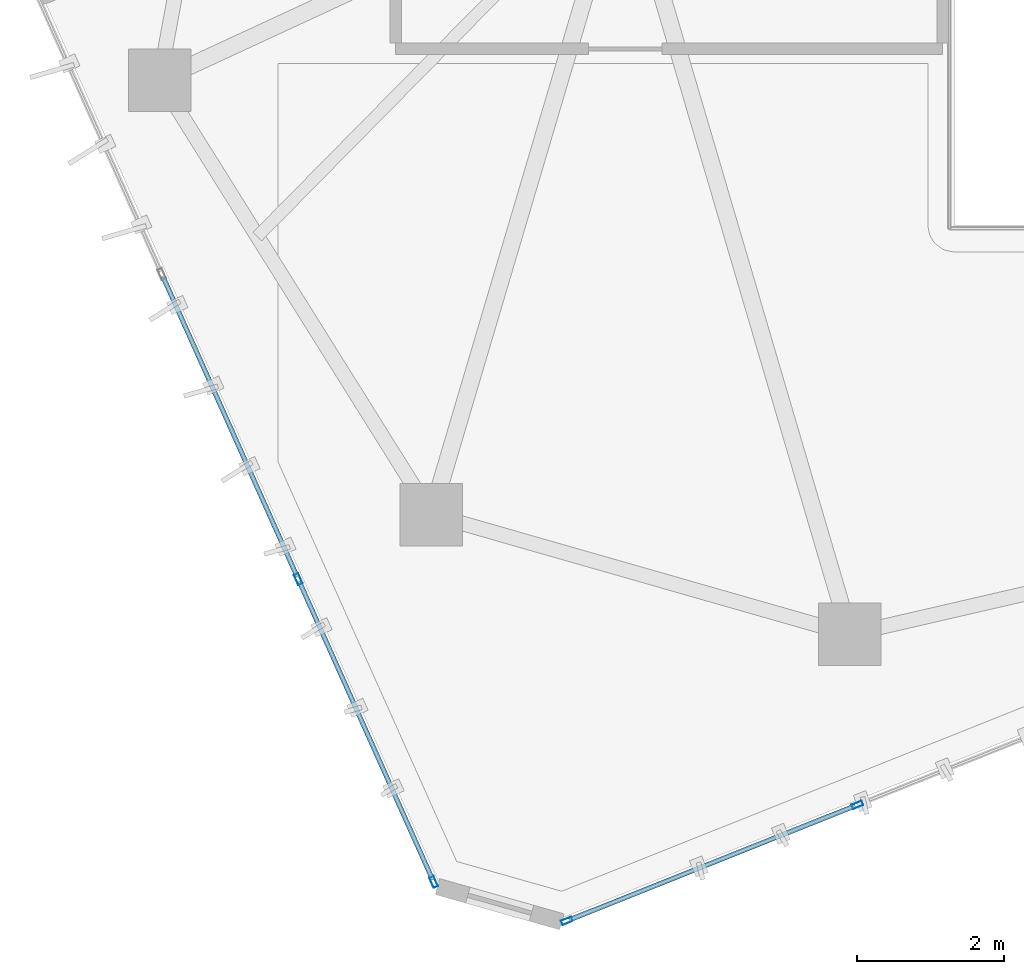
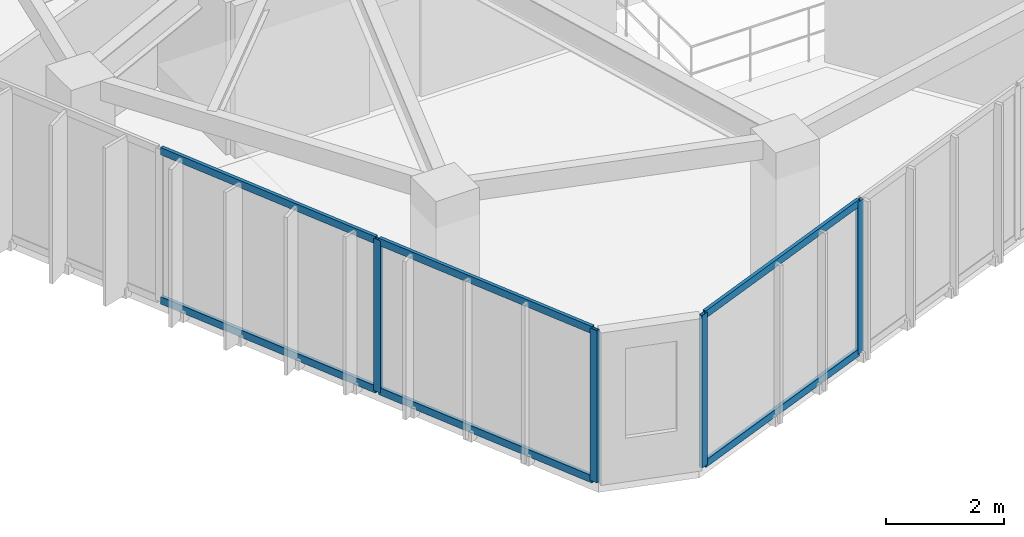
# One storey, part 2 of 20: 10 members, 2 elements without a shape of their own.
"""IFC4 building model written with IfcOpenShell, lengths in metres."""

import ifcopenshell
import ifcopenshell.guid

model = None  # the IFC model being written
_history = None  # IfcOwnerHistory: only IFC2X3 demands one
_inside = {}  # id of a spatial element -> (the spatial element, [elements in it])
_under = {}  # id of a project, library or spatial element -> (it, [spatial elements below it])
_declared = {}  # id of a project -> (the project, [libraries it declares])
_typed = {}  # id of a type object -> (the type object, [elements of that type])
_made_of = {}  # id of a material, layer set ... -> (it, [elements and type objects made of it])


def new_model(schema):
    """Start an empty IFC model of exactly this schema.

    Asked for "IFC4X3", IfcOpenShell would pick the latest addendum, in which some entities
    have other attributes; the version numbers below select the first issue.
    IFC2X3 requires an IfcOwnerHistory on every rooted entity: one is made here for all.
    """
    global model, _history
    if schema == "IFC4X3":
        model = ifcopenshell.file(schema_version=(4, 3, 0, 0))
    else:
        model = ifcopenshell.file(schema=schema)
    _inside.clear()
    _under.clear()
    _declared.clear()
    _typed.clear()
    _made_of.clear()
    _history = None
    if model.schema == "IFC2X3":
        org = make("IfcOrganization", Name="unknown")
        user = make(
            "IfcPersonAndOrganization",
            ThePerson=make("IfcPerson", FamilyName="unknown"),
            TheOrganization=org,
        )
        app = make(
            "IfcApplication",
            ApplicationDeveloper=org,
            Version="unknown",
            ApplicationFullName="unknown",
            ApplicationIdentifier="unknown",
        )
        _history = make(
            "IfcOwnerHistory",
            OwningUser=user,
            OwningApplication=app,
            ChangeAction="ADDED",
            CreationDate=0,
        )
    return model


def make(cls, **values):
    """One entity of the class cls with the attributes given. An attribute that is None is left unset."""
    return model.create_entity(
        cls, **{name: value for name, value in values.items() if value is not None}
    )


def rooted(cls, **values):
    """An entity with a GlobalId (a new one), such as an element, a storey or a relation."""
    return make(cls, GlobalId=ifcopenshell.guid.new(), OwnerHistory=_history, **values)


def si_unit(unit_type, name, prefix=None):
    """IfcSIUnit, for example si_unit("LENGTHUNIT", "METRE", prefix="MILLI")."""
    return make("IfcSIUnit", UnitType=unit_type, Prefix=prefix, Name=name)


def assignment(units):
    """IfcUnitAssignment: the units of a project."""
    return None if units is None else make("IfcUnitAssignment", Units=units)


def point(xyz):
    """IfcCartesianPoint."""
    return None if xyz is None else make("IfcCartesianPoint", Coordinates=xyz)


def direction(xyz):
    """IfcDirection."""
    return None if xyz is None else make("IfcDirection", DirectionRatios=xyz)


def frame(location, z_axis=None, x_axis=None):
    """IfcAxis2Placement3D, a coordinate frame: its origin and axes. An axis left out is left unset."""
    return make(
        "IfcAxis2Placement3D",
        Location=point(location),
        Axis=direction(z_axis),
        RefDirection=direction(x_axis),
    )


def frame_2d(location, x_axis=None):
    """IfcAxis2Placement2D, a coordinate frame in the plane: its origin and x axis."""
    return make(
        "IfcAxis2Placement2D", Location=point(location), RefDirection=direction(x_axis)
    )


def origin():
    """The frame at (0, 0, 0) with its axes left unset."""
    return frame((0.0, 0.0, 0.0))


def origin_2d():
    """The frame at (0, 0) in the plane with its x axis left unset."""
    return frame_2d((0.0, 0.0))


def place(relative_to, where):
    """IfcLocalPlacement: puts the frame where relative to a parent placement (None: the world)."""
    return make(
        "IfcLocalPlacement", PlacementRelTo=relative_to, RelativePlacement=where
    )


def context(
    kind, dimensions, precision=None, world=None, true_north=None, identifier=None
):
    """IfcGeometricRepresentationContext, for example the 3D "Model" context."""
    return make(
        "IfcGeometricRepresentationContext",
        ContextIdentifier=identifier,
        ContextType=kind,
        CoordinateSpaceDimension=dimensions,
        Precision=precision,
        WorldCoordinateSystem=world,
        TrueNorth=true_north,
    )


def subcontext(parent, identifier, kind, view, scale=None):
    """IfcGeometricRepresentationSubContext, for example "Body" below "Model"."""
    return make(
        "IfcGeometricRepresentationSubContext",
        ContextIdentifier=identifier,
        ContextType=kind,
        ParentContext=parent,
        TargetScale=scale,
        TargetView=view,
    )


def project(units=None, contexts=None):
    """IfcProject with its units and contexts."""
    return rooted(
        "IfcProject",
        Name="project",
        RepresentationContexts=contexts,
        UnitsInContext=assignment(units),
    )


def spatial(cls, under=None, at=None, **own):
    """A site, building, storey or space (cls), placed at a placement, below another one or the project."""
    s = rooted(cls, ObjectPlacement=at, **own)
    if under is not None:
        _under.setdefault(under.id(), (under, []))[1].append(s)
    return s


def profile(cls, at=None, kind="AREA", **sizes):
    """A parametric profile (cls). Its sizes go by their IFC names, for example OverallWidth=200.0."""
    return make(cls, ProfileType=kind, Position=at, **sizes)


def hollow_rectangle(**sizes):
    """IfcRectangleHollowProfileDef."""
    return profile("IfcRectangleHollowProfileDef", **sizes)


def extrude(swept, where, along, depth):
    """IfcExtrudedAreaSolid: the profile swept, set in the frame where, extruded along a direction by depth."""
    return make(
        "IfcExtrudedAreaSolid",
        SweptArea=swept,
        Position=where,
        ExtrudedDirection=direction(along),
        Depth=depth,
    )


def shape(context_of_items, identifier, shape_type, items):
    """IfcShapeRepresentation: the items that make up one representation, for example the "Body"."""
    return make(
        "IfcShapeRepresentation",
        ContextOfItems=context_of_items,
        RepresentationIdentifier=identifier,
        RepresentationType=shape_type,
        Items=items,
    )


def source(mapping_origin, context_of_items, identifier, shape_type, items):
    """IfcRepresentationMap: a shape defined once, which mapped items show again and again."""
    return make(
        "IfcRepresentationMap",
        MappingOrigin=mapping_origin,
        MappedRepresentation=shape(context_of_items, identifier, shape_type, items),
    )


def transform(
    local_origin,
    x_axis=None,
    y_axis=None,
    z_axis=None,
    scale=None,
    scale2=None,
    scale3=None,
    uniform=True,
):
    """IfcCartesianTransformationOperator3D, or its non-uniform kind. x_axis, y_axis, z_axis: its Axis1, 2, 3."""
    if uniform:
        return make(
            "IfcCartesianTransformationOperator3D",
            Axis1=direction(x_axis),
            Axis2=direction(y_axis),
            LocalOrigin=point(local_origin),
            Scale=scale,
            Axis3=direction(z_axis),
        )
    return make(
        "IfcCartesianTransformationOperator3DnonUniform",
        Axis1=direction(x_axis),
        Axis2=direction(y_axis),
        LocalOrigin=point(local_origin),
        Scale=scale,
        Axis3=direction(z_axis),
        Scale2=scale2,
        Scale3=scale3,
    )


def mapped(mapping_source, mapping_target):
    """IfcMappedItem: shows the shape of a source again, moved by a transform."""
    return make(
        "IfcMappedItem", MappingSource=mapping_source, MappingTarget=mapping_target
    )


def material(Name=None, Category=None):
    """IfcMaterial."""
    return make("IfcMaterial", Name=Name, Category=Category)


def layer(
    of_material, thickness, ventilated=None, Name=None, Category=None, Priority=None
):
    """IfcMaterialLayer: one layer of a wall or slab, of a material (None: an air gap)."""
    return make(
        "IfcMaterialLayer",
        Material=of_material,
        LayerThickness=thickness,
        IsVentilated=ventilated,
        Name=Name,
        Category=Category,
        Priority=Priority,
    )


def layer_set(layers, Name=None):
    """IfcMaterialLayerSet."""
    return make("IfcMaterialLayerSet", MaterialLayers=layers, LayerSetName=Name)


def material_profile(
    of_material, cross_section, Name=None, Category=None, Priority=None
):
    """IfcMaterialProfile: a cross section and its material."""
    return make(
        "IfcMaterialProfile",
        Name=Name,
        Material=of_material,
        Profile=cross_section,
        Priority=Priority,
        Category=Category,
    )


def profile_set(profiles, Name=None, composite=None):
    """IfcMaterialProfileSet."""
    return make(
        "IfcMaterialProfileSet",
        Name=Name,
        MaterialProfiles=profiles,
        CompositeProfile=composite,
    )


def made_of(thing, what):
    """Note that an element or type object is made of a material, layer set ...; save() writes the relation."""
    if what is not None:
        _made_of.setdefault(what.id(), (what, []))[1].append(thing)
    return thing


def type_object(cls, material=None, **own):
    """A type object (cls), such as IfcWallType, which elements share."""
    return made_of(rooted(cls, **own), material)


def type_shapes(of_type, sources):
    """Give a type object the sources (RepresentationMaps) that its elements show as mapped items."""
    of_type.RepresentationMaps = sources


def element(
    cls,
    number,
    at=None,
    inside=None,
    cuts=None,
    type_object=None,
    material=None,
    context=None,
    identifier="Body",
    shape_type=None,
    held_by="IfcProductDefinitionShape",
    body=None,
    shapes=None,
    **own,
):
    """One element of the class cls, such as IfcWall. Its Tag is "e" and its number.

    at: its placement. inside: the storey or other place that contains it. cuts: it is an
    opening in that element (IfcRelVoidsElement). A single representation is given by context,
    identifier, shape_type and body (its items); several are given by shapes. held_by: the class
    of the entity that holds the representations. save() writes the other relations.
    """
    e = rooted(cls, Tag="e%d" % number, ObjectPlacement=at, **own)
    if body is not None:
        shapes = [shape(context, identifier, shape_type, body)]
    if shapes is not None:
        e.Representation = make(held_by, Representations=shapes)
    if inside is not None:
        _inside.setdefault(inside.id(), (inside, []))[1].append(e)
    if cuts is not None:
        rooted(
            "IfcRelVoidsElement", RelatingBuildingElement=cuts, RelatedOpeningElement=e
        )
    if type_object is not None:
        _typed.setdefault(type_object.id(), (type_object, []))[1].append(e)
    return made_of(e, material)


def aggregate(whole, parts):
    """IfcRelAggregates: a whole, such as a stair, and the parts it consists of."""
    return rooted("IfcRelAggregates", RelatingObject=whole, RelatedObjects=parts)


def save(model, path):
    """Write the relations noted so far, then the file.

    IfcRelAggregates (storeys below a building ...), IfcRelContainedInSpatialStructure (elements
    in a storey), IfcRelDefinesByType, IfcRelAssociatesMaterial and IfcRelDeclares: one each for
    every whole, place, type object, material and project.
    """
    for whole, parts in _under.values():
        aggregate(whole, parts)
    for where, things in _inside.values():
        rooted(
            "IfcRelContainedInSpatialStructure",
            RelatedElements=things,
            RelatingStructure=where,
        )
    for kind, things in _typed.values():
        rooted("IfcRelDefinesByType", RelatedObjects=things, RelatingType=kind)
    for what, things in _made_of.values():
        rooted("IfcRelAssociatesMaterial", RelatedObjects=things, RelatingMaterial=what)
    for by, libraries in _declared.values():
        rooted("IfcRelDeclares", RelatingContext=by, RelatedDefinitions=libraries)
    model.write(path)


model = new_model("IFC4")

# Units and contexts
model_context = context("Model", 3, precision=1e-05, world=origin(), true_north=direction((0.0, 1.0)))
body_context = subcontext(model_context, "Body", "Model", "MODEL_VIEW")
ifc_project = project(units=[si_unit("LENGTHUNIT", "METRE"), si_unit("AREAUNIT", "SQUARE_METRE"), si_unit("VOLUMEUNIT", "CUBIC_METRE"), si_unit("PLANEANGLEUNIT", "RADIAN"), si_unit("MASSUNIT", "GRAM", prefix="KILO")], contexts=[model_context])

# Site, building, storey
site_placement = place(None, origin())
site = spatial("IfcSite", under=ifc_project, at=site_placement, CompositionType="ELEMENT")
building_placement = place(site_placement, origin())
building = spatial("IfcBuilding", under=site, at=building_placement, Name="Talar Marvaseh", CompositionType="ELEMENT")
storey_placement = place(building_placement, frame((0.0, 0.0, 278.199951171875)))
storey = spatial("IfcBuildingStorey", under=building, at=storey_placement, Name="L74", CompositionType="ELEMENT", Elevation=278.199951171875)

# Curtain wall, members
ifc_material = material(Name="Architectural Aluminium", Category="aluminium")
ifc_layer = layer(ifc_material, 0.179931640625)
ifc_layer_set = layer_set([ifc_layer], Name="Architectural Aluminium")
curtain_wall_type = type_object("IfcCurtainWallType", Name="Unitised High-Wind Sky Curtain Wall Z4", PredefinedType="NOTDEFINED", material=ifc_layer_set)
curtain_wall_1_placement = place(storey_placement, origin())
curtain_wall_1 = element("IfcCurtainWall", 1, at=curtain_wall_1_placement, inside=storey, type_object=curtain_wall_type, Name="L74 Unitised High-Wind Sky Curtain Wall Z4", PredefinedType="NOTDEFINED")
ifc_material_profile_1 = material_profile(ifc_material, hollow_rectangle(XDim=0.06494140625, YDim=0.14990234375, WallThickness=0.00390625, at=origin_2d()), Name="RHS150x65x4")
ifc_profile_set_1 = profile_set([ifc_material_profile_1], Name="Architectural Aluminium")
member_type_1 = type_object("IfcMemberType", Name="Unitised Curtain Wall Slim Transom RHS150x65x4", PredefinedType="USERDEFINED", material=ifc_profile_set_1)
shared_shape_1 = source(origin(), body_context, "Body", "SweptSolid", [
    extrude(hollow_rectangle(XDim=0.06494140625, YDim=0.14990234375, WallThickness=0.00390625, at=origin_2d()), origin(), (0.0, 0.0, 1.0), 4.447265625),
])
member_1_placement = place(storey_placement, frame((16.10400390625, 11.700927734375, 0.032470703125), z_axis=(-0.408261333725, 0.91286509594, 0.0), x_axis=(-0.91286509594, -0.408261333725, 0.0)))
member_1 = element("IfcMember", 2, at=member_1_placement, type_object=member_type_1, Name="CW-Z4 transom 1.1", ObjectType="TRANSOM", PredefinedType="USERDEFINED", context=body_context, shape_type="MappedRepresentation", body=[
    mapped(shared_shape_1, transform((0.0, 0.0, 0.0), x_axis=(1.0, 0.0, 0.0), y_axis=(0.0, 1.0, 0.0), z_axis=(0.0, 0.0, 1.0), scale=1.0)),
])
member_2_placement = place(storey_placement, frame((16.10400390625, 11.700927734375, 3.107666015625), z_axis=(-0.408261333725, 0.91286509594, 0.0), x_axis=(-0.91286509594, -0.408261333725, 0.0)))
member_2 = element("IfcMember", 3, at=member_2_placement, type_object=member_type_1, Name="CW-Z4 transom 1.2", ObjectType="TRANSOM", PredefinedType="USERDEFINED", context=body_context, shape_type="MappedRepresentation", body=[
    mapped(shared_shape_1, transform((0.0, 0.0, 0.0), x_axis=(1.0, 0.0, 0.0), y_axis=(0.0, 1.0, 0.0), z_axis=(0.0, 0.0, 1.0), scale=1.0)),
])
shared_shape_2 = source(origin(), body_context, "Body", "SweptSolid", [
    extrude(hollow_rectangle(XDim=0.06494140625, YDim=0.14990234375, WallThickness=0.00390625, at=origin_2d()), origin(), (0.0, 0.0, 1.0), 4.47998046875),
])
member_3_placement = place(storey_placement, frame((14.26171875, 15.820068359375, 0.032470703125), z_axis=(-0.408235804373, 0.912876513022, 0.0), x_axis=(-0.912876513022, -0.408235804373, 0.0)))
member_3 = element("IfcMember", 4, at=member_3_placement, type_object=member_type_1, Name="CW-Z4 transom 2.1", ObjectType="TRANSOM", PredefinedType="USERDEFINED", context=body_context, shape_type="MappedRepresentation", body=[
    mapped(shared_shape_2, transform((0.0, 0.0, 0.0), x_axis=(1.0, 0.0, 0.0), y_axis=(0.0, 1.0, 0.0), z_axis=(0.0, 0.0, 1.0), scale=1.0)),
])
member_4_placement = place(storey_placement, frame((14.26171875, 15.820068359375, 3.107666015625), z_axis=(-0.408235804373, 0.912876513022, 0.0), x_axis=(-0.912876513022, -0.408235804373, 0.0)))
member_4 = element("IfcMember", 5, at=member_4_placement, type_object=member_type_1, Name="CW-Z4 transom 2.2", ObjectType="TRANSOM", PredefinedType="USERDEFINED", context=body_context, shape_type="MappedRepresentation", body=[
    mapped(shared_shape_2, transform((0.0, 0.0, 0.0), x_axis=(1.0, 0.0, 0.0), y_axis=(0.0, 1.0, 0.0), z_axis=(0.0, 0.0, 1.0), scale=1.0)),
])
ifc_material_profile_2 = material_profile(ifc_material, hollow_rectangle(XDim=0.06494140625, YDim=0.14990234375, WallThickness=0.00390625, at=origin_2d()), Name="RHS150x65x4")
ifc_profile_set_2 = profile_set([ifc_material_profile_2], Name="Architectural Aluminium")
member_type_2 = type_object("IfcMemberType", Name="Unitised Curtain Wall Slim Mullion RHS150x65x4", PredefinedType="MULLION", material=ifc_profile_set_2)
shared_shape_3 = source(origin(), body_context, "Body", "SweptSolid", [
    extrude(hollow_rectangle(XDim=0.06494140625, YDim=0.14990234375, WallThickness=0.00390625, at=origin_2d()), origin(), (0.0, 0.0, 1.0), 3.14013671875),
])
type_shapes(member_type_2, [shared_shape_3])
member_5_placement = place(storey_placement, frame((16.117431640625, 11.67138671875, 0.0), z_axis=(0.0, 0.0, 1.0), x_axis=(-0.912862421226, -0.408267314284, 0.0)))
member_5 = element("IfcMember", 6, at=member_5_placement, type_object=member_type_2, Name="CW-Z4 mullion 1", PredefinedType="MULLION", context=body_context, shape_type="MappedRepresentation", body=[
    mapped(shared_shape_3, transform((0.0, 0.0, 0.0), x_axis=(1.0, 0.0, 0.0), y_axis=(0.0, 1.0, 0.0), z_axis=(0.0, 0.0, 1.0), scale=1.0)),
])
member_6_placement = place(storey_placement, frame((14.275146484375, 15.79052734375, 0.0), z_axis=(0.0, 0.0, 1.0), x_axis=(-0.912862421226, -0.408267314284, 0.0)))
member_6 = element("IfcMember", 7, at=member_6_placement, type_object=member_type_2, Name="CW-Z4 mullion 2", PredefinedType="MULLION", context=body_context, shape_type="MappedRepresentation", body=[
    mapped(shared_shape_3, transform((0.0, 0.0, 0.0), x_axis=(1.0, 0.0, 0.0), y_axis=(0.0, 1.0, 0.0), z_axis=(0.0, 0.0, 1.0), scale=1.0)),
])
aggregate(curtain_wall_1, [member_5, member_6, member_1, member_2, member_3, member_4])

curtain_wall_2_placement = place(storey_placement, origin())
curtain_wall_2 = element("IfcCurtainWall", 8, at=curtain_wall_2_placement, inside=storey, type_object=curtain_wall_type, Name="L74 Unitised High-Wind Sky Curtain Wall Z4", PredefinedType="NOTDEFINED")
member_7_placement = place(storey_placement, frame((21.8798828125, 12.719970703125, 0.0), z_axis=(0.0, 0.0, 1.0), x_axis=(0.370701725509, -0.928751974805, 0.0)))
member_7 = element("IfcMember", 9, at=member_7_placement, type_object=member_type_2, Name="CW-Z4 mullion 4", PredefinedType="MULLION", context=body_context, shape_type="MappedRepresentation", body=[
    mapped(shared_shape_3, transform((0.0, 0.0, 0.0), x_axis=(1.0, 0.0, 0.0), y_axis=(0.0, 1.0, 0.0), z_axis=(0.0, 0.0, 1.0), scale=1.0)),
])
member_8_placement = place(storey_placement, frame((17.92919921875, 11.14306640625, 0.0), z_axis=(0.0, 0.0, 1.0), x_axis=(0.370701725509, -0.928751974805, 0.0)))
member_8 = element("IfcMember", 10, at=member_8_placement, type_object=member_type_2, Name="CW-Z4 mullion 5", PredefinedType="MULLION", context=body_context, shape_type="MappedRepresentation", body=[
    mapped(shared_shape_3, transform((0.0, 0.0, 0.0), x_axis=(1.0, 0.0, 0.0), y_axis=(0.0, 1.0, 0.0), z_axis=(0.0, 0.0, 1.0), scale=1.0)),
])
shared_shape_4 = source(origin(), body_context, "Body", "SweptSolid", [
    extrude(hollow_rectangle(XDim=0.06494140625, YDim=0.14990234375, WallThickness=0.00390625, at=origin_2d()), origin(), (0.0, 0.0, 1.0), 4.1884765625),
])
type_shapes(member_type_1, [shared_shape_1, shared_shape_2, shared_shape_4])
member_9_placement = place(storey_placement, frame((21.849609375, 12.707763671875, 0.032470703125), z_axis=(-0.928749786725, -0.370707207454, 0.0), x_axis=(0.370707207454, -0.928749786725, 0.0)))
member_9 = element("IfcMember", 11, at=member_9_placement, type_object=member_type_1, Name="CW-Z4 transom 4.1", ObjectType="TRANSOM", PredefinedType="USERDEFINED", context=body_context, shape_type="MappedRepresentation", body=[
    mapped(shared_shape_4, transform((0.0, 0.0, 0.0), x_axis=(1.0, 0.0, 0.0), y_axis=(0.0, 1.0, 0.0), z_axis=(0.0, 0.0, 1.0), scale=1.0)),
])
member_10_placement = place(storey_placement, frame((21.849609375, 12.707763671875, 3.107666015625), z_axis=(-0.928749786725, -0.370707207454, 0.0), x_axis=(0.370707207454, -0.928749786725, 0.0)))
member_10 = element("IfcMember", 12, at=member_10_placement, type_object=member_type_1, Name="CW-Z4 transom 4.2", ObjectType="TRANSOM", PredefinedType="USERDEFINED", context=body_context, shape_type="MappedRepresentation", body=[
    mapped(shared_shape_4, transform((0.0, 0.0, 0.0), x_axis=(1.0, 0.0, 0.0), y_axis=(0.0, 1.0, 0.0), z_axis=(0.0, 0.0, 1.0), scale=1.0)),
])
aggregate(curtain_wall_2, [member_7, member_8, member_9, member_10])

save(model, "model.ifc")
